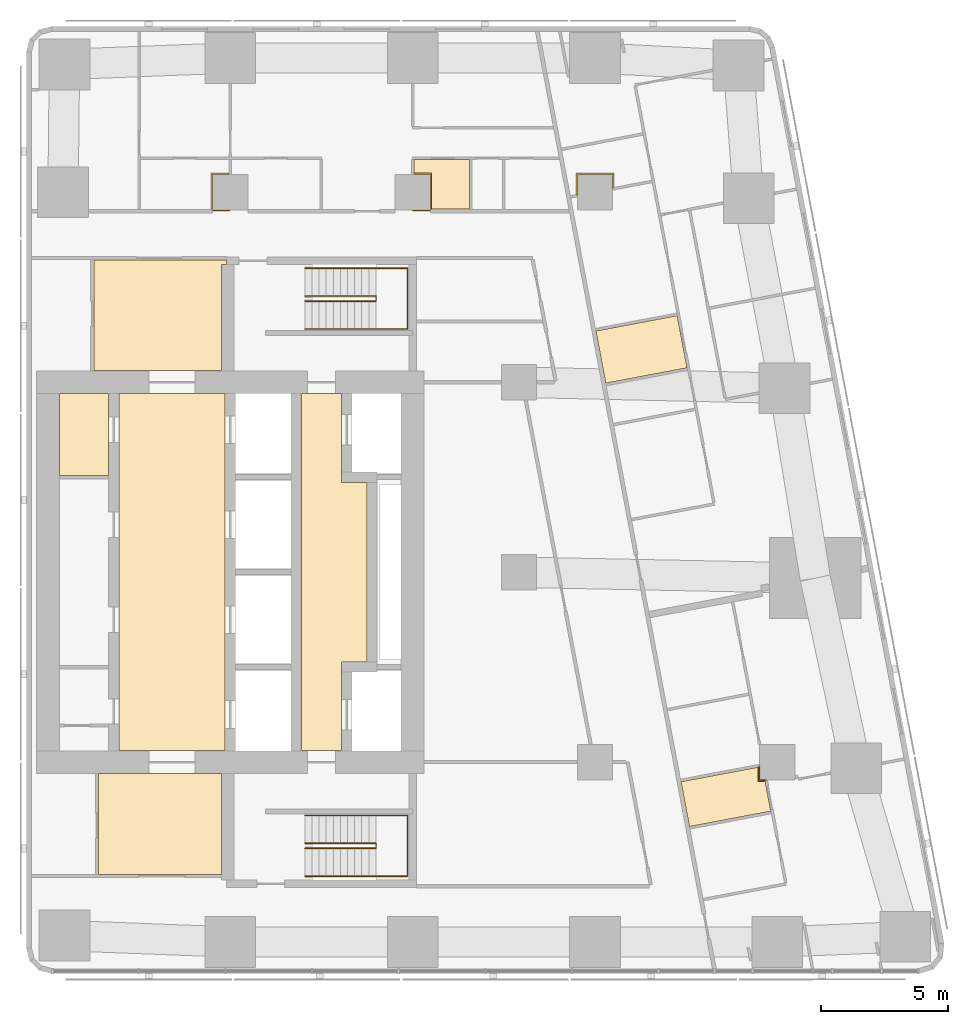
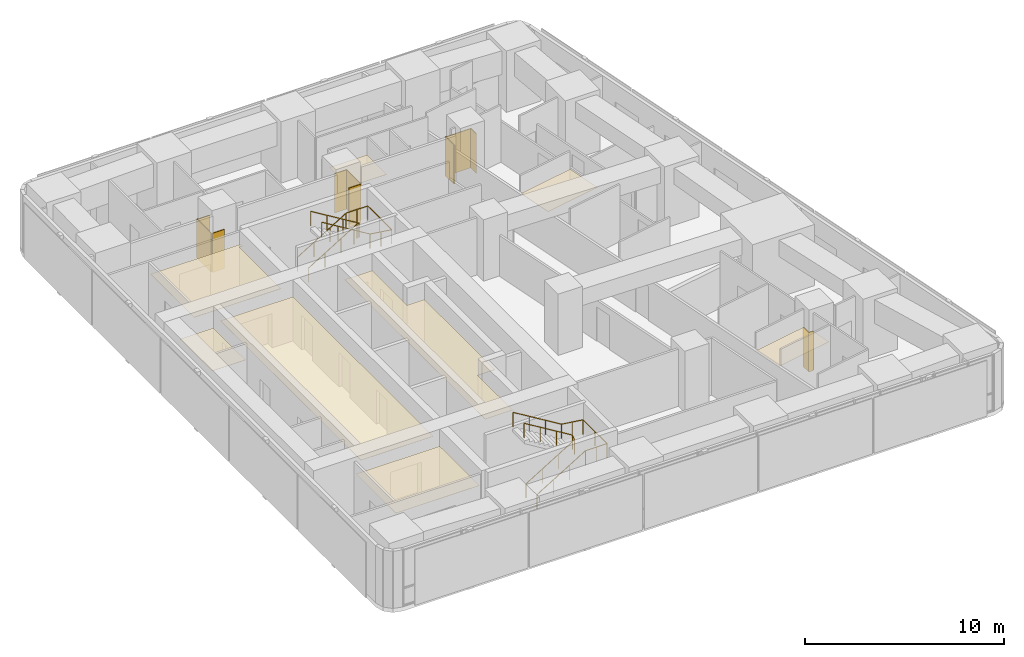
# One storey, part 10 of 10: 12 coverings, 4 railings.
"""IFC4 building model written with IfcOpenShell, lengths in metres."""

from ifc_helpers import new_model, si_unit, direction, frame, origin, origin_2d, place, context, subcontext, project, spatial, polyline, circle, outline, extrude, material, layer, layer_set, type_object, element, save


model = new_model("IFC4")

# Units and contexts
model_context = context("Model", 3, precision=1e-05, world=origin(), true_north=direction((0.0, 1.0)))
body_context = subcontext(model_context, "Body", "Model", "MODEL_VIEW")
ifc_project = project(units=[si_unit("LENGTHUNIT", "METRE"), si_unit("AREAUNIT", "SQUARE_METRE"), si_unit("VOLUMEUNIT", "CUBIC_METRE"), si_unit("PLANEANGLEUNIT", "RADIAN"), si_unit("MASSUNIT", "GRAM", prefix="KILO")], contexts=[model_context])

# Site, building, storey
site_placement = place(None, origin())
site = spatial("IfcSite", under=ifc_project, at=site_placement, CompositionType="ELEMENT")
building_placement = place(site_placement, origin())
building = spatial("IfcBuilding", under=site, at=building_placement, Name="Sheger Commons Tower", CompositionType="ELEMENT")
storey_placement = place(building_placement, frame((0.0, 0.0, 289.10009765625)))
storey = spatial("IfcBuildingStorey", under=building, at=storey_placement, Name="L74", CompositionType="ELEMENT", Elevation=289.10009765625)

# Railings
ifc_material_1 = material(Name="Steel handrail, black powder-coated", Category="steel")
railing_type = type_object("IfcRailingType", Name="HANDRAIL 900", PredefinedType="HANDRAIL", material=ifc_material_1)
railing_1_placement = place(storey_placement, frame((24.550048828125, 11.60009765625, 0.17041015625)))
element("IfcRailing", 1, at=railing_1_placement, inside=storey, type_object=railing_type, Name="Stair S1 handrail L74", PredefinedType="HANDRAIL", context=body_context, shape_type="SweptSolid", body=[
    extrude(circle(Radius=0.02392578125, at=origin_2d()), frame((0.0, 0.0, 0.8759765625), z_axis=(0.854169791009, 0.0, 0.51999420009), x_axis=(0.0, 1.0, 0.0)), (0.0, 0.0, 1.0), 3.278076171875),
    extrude(circle(Radius=0.02392578125, at=origin_2d()), frame((2.800048828125, 0.0, 2.58056640625), z_axis=(0.0, 0.761090297175, 0.648645943136), x_axis=(-1.0, 0.0, 0.0)), (0.0, 0.0, 1.0), 0.2626953125),
    extrude(circle(Radius=0.02392578125, at=origin_2d()), frame((2.800048828125, 0.199951171875, 2.7509765625), z_axis=(-0.854169791009, 0.0, 0.51999420009), x_axis=(0.0, -1.0, 0.0)), (0.0, 0.0, 1.0), 3.278076171875),
    extrude(circle(Radius=0.02099609375, at=origin_2d()), origin(), (0.0, 0.0, 1.0), 0.851806640625),
    extrude(circle(Radius=0.02099609375, at=origin_2d()), frame((0.933349609375, 0.0, 0.568115234375)), (0.0, 0.0, 1.0), 0.851806640625),
    extrude(circle(Radius=0.02099609375, at=origin_2d()), frame((1.86669921875, 0.0, 1.136474609375)), (0.0, 0.0, 1.0), 0.851806640625),
    extrude(circle(Radius=0.02099609375, at=origin_2d()), frame((2.800048828125, 0.0, 1.70458984375)), (0.0, 0.0, 1.0), 0.851806640625),
    extrude(circle(Radius=0.02099609375, at=origin_2d()), frame((2.800048828125, 0.199951171875, 1.875)), (0.0, 0.0, 1.0), 0.851806640625),
    extrude(circle(Radius=0.02099609375, at=origin_2d()), frame((1.86669921875, 0.199951171875, 2.443115234375)), (0.0, 0.0, 1.0), 0.851806640625),
    extrude(circle(Radius=0.02099609375, at=origin_2d()), frame((0.933349609375, 0.199951171875, 3.011474609375)), (0.0, 0.0, 1.0), 0.851806640625),
    extrude(circle(Radius=0.02099609375, at=origin_2d()), frame((0.0, 0.199951171875, 3.57958984375)), (0.0, 0.0, 1.0), 0.851806640625),
])
railing_2_placement = place(storey_placement, frame((24.550048828125, 10.5, 0.17041015625)))
element("IfcRailing", 2, at=railing_2_placement, inside=storey, type_object=railing_type, Name="Stair S1 handrail L74", PredefinedType="HANDRAIL", context=body_context, shape_type="SweptSolid", body=[
    extrude(circle(Radius=0.02392578125, at=origin_2d()), frame((0.0, 0.0, 0.8759765625), z_axis=(0.854169791009, 0.0, 0.51999420009), x_axis=(0.0, 1.0, 0.0)), (0.0, 0.0, 1.0), 3.278076171875),
    extrude(circle(Radius=0.02392578125, at=origin_2d()), frame((2.800048828125, 0.0, 2.58056640625), z_axis=(1.0, 0.0, 0.0), x_axis=(0.0, 1.0, 0.0)), (0.0, 0.0, 1.0), 1.25),
    extrude(circle(Radius=0.02392578125, at=origin_2d()), frame((4.050048828125, 0.0, 2.58056640625), z_axis=(0.0, 1.0, 0.0), x_axis=(-1.0, 0.0, 0.0)), (0.0, 0.0, 1.0), 2.39990234375),
    extrude(circle(Radius=0.02392578125, at=origin_2d()), frame((4.050048828125, 2.39990234375, 2.58056640625), z_axis=(-0.990834877927, 0.0, 0.135078661092), x_axis=(0.0, -1.0, 0.0)), (0.0, 0.0, 1.0), 1.261474609375),
    extrude(circle(Radius=0.02392578125, at=origin_2d()), frame((2.800048828125, 2.39990234375, 2.7509765625), z_axis=(-0.854169791009, 0.0, 0.51999420009), x_axis=(0.0, -1.0, 0.0)), (0.0, 0.0, 1.0), 3.278076171875),
    extrude(circle(Radius=0.02099609375, at=origin_2d()), origin(), (0.0, 0.0, 1.0), 0.851806640625),
    extrude(circle(Radius=0.02099609375, at=origin_2d()), frame((0.933349609375, 0.0, 0.568115234375)), (0.0, 0.0, 1.0), 0.851806640625),
    extrude(circle(Radius=0.02099609375, at=origin_2d()), frame((1.86669921875, 0.0, 1.136474609375)), (0.0, 0.0, 1.0), 0.851806640625),
    extrude(circle(Radius=0.02099609375, at=origin_2d()), frame((2.800048828125, 0.0, 1.70458984375)), (0.0, 0.0, 1.0), 0.851806640625),
    extrude(circle(Radius=0.02099609375, at=origin_2d()), frame((3.425048828125, 0.0, 1.70458984375)), (0.0, 0.0, 1.0), 0.851806640625),
    extrude(circle(Radius=0.02099609375, at=origin_2d()), frame((4.050048828125, 0.0, 1.70458984375)), (0.0, 0.0, 1.0), 0.851806640625),
    extrude(circle(Radius=0.02099609375, at=origin_2d()), frame((4.050048828125, 1.199951171875, 1.70458984375)), (0.0, 0.0, 1.0), 0.851806640625),
    extrude(circle(Radius=0.02099609375, at=origin_2d()), frame((4.050048828125, 2.39990234375, 1.70458984375)), (0.0, 0.0, 1.0), 0.851806640625),
    extrude(circle(Radius=0.02099609375, at=origin_2d()), frame((3.425048828125, 2.39990234375, 1.789794921875)), (0.0, 0.0, 1.0), 0.851806640625),
    extrude(circle(Radius=0.02099609375, at=origin_2d()), frame((2.800048828125, 2.39990234375, 1.875)), (0.0, 0.0, 1.0), 0.851806640625),
    extrude(circle(Radius=0.02099609375, at=origin_2d()), frame((1.86669921875, 2.39990234375, 2.443115234375)), (0.0, 0.0, 1.0), 0.851806640625),
    extrude(circle(Radius=0.02099609375, at=origin_2d()), frame((0.933349609375, 2.39990234375, 3.011474609375)), (0.0, 0.0, 1.0), 0.851806640625),
    extrude(circle(Radius=0.02099609375, at=origin_2d()), frame((0.0, 2.39990234375, 3.57958984375)), (0.0, 0.0, 1.0), 0.851806640625),
])
railing_3_placement = place(storey_placement, frame((24.550048828125, 33.39990234375, 0.17041015625)))
element("IfcRailing", 3, at=railing_3_placement, inside=storey, type_object=railing_type, Name="Stair S2 handrail L74", PredefinedType="HANDRAIL", context=body_context, shape_type="SweptSolid", body=[
    extrude(circle(Radius=0.02392578125, at=origin_2d()), frame((0.0, 0.0, 0.8759765625), z_axis=(0.854169791009, 0.0, 0.51999420009), x_axis=(0.0, 1.0, 0.0)), (0.0, 0.0, 1.0), 3.278076171875),
    extrude(circle(Radius=0.02392578125, at=origin_2d()), frame((2.800048828125, 0.0, 2.58056640625), z_axis=(0.0, -0.761090297175, 0.648645943136), x_axis=(1.0, 0.0, 0.0)), (0.0, 0.0, 1.0), 0.2626953125),
    extrude(circle(Radius=0.02392578125, at=origin_2d()), frame((2.800048828125, -0.199951171875, 2.7509765625), z_axis=(-0.854169791009, 0.0, 0.51999420009), x_axis=(0.0, -1.0, 0.0)), (0.0, 0.0, 1.0), 3.278076171875),
    extrude(circle(Radius=0.02099609375, at=origin_2d()), origin(), (0.0, 0.0, 1.0), 0.851806640625),
    extrude(circle(Radius=0.02099609375, at=origin_2d()), frame((0.933349609375, 0.0, 0.568115234375)), (0.0, 0.0, 1.0), 0.851806640625),
    extrude(circle(Radius=0.02099609375, at=origin_2d()), frame((1.86669921875, 0.0, 1.136474609375)), (0.0, 0.0, 1.0), 0.851806640625),
    extrude(circle(Radius=0.02099609375, at=origin_2d()), frame((2.800048828125, 0.0, 1.70458984375)), (0.0, 0.0, 1.0), 0.851806640625),
    extrude(circle(Radius=0.02099609375, at=origin_2d()), frame((2.800048828125, -0.199951171875, 1.875)), (0.0, 0.0, 1.0), 0.851806640625),
    extrude(circle(Radius=0.02099609375, at=origin_2d()), frame((1.86669921875, -0.199951171875, 2.443115234375)), (0.0, 0.0, 1.0), 0.851806640625),
    extrude(circle(Radius=0.02099609375, at=origin_2d()), frame((0.933349609375, -0.199951171875, 3.011474609375)), (0.0, 0.0, 1.0), 0.851806640625),
    extrude(circle(Radius=0.02099609375, at=origin_2d()), frame((0.0, -0.199951171875, 3.57958984375)), (0.0, 0.0, 1.0), 0.851806640625),
])
railing_4_placement = place(storey_placement, frame((24.550048828125, 34.5, 0.17041015625)))
element("IfcRailing", 4, at=railing_4_placement, inside=storey, type_object=railing_type, Name="Stair S2 handrail L74", PredefinedType="HANDRAIL", context=body_context, shape_type="SweptSolid", body=[
    extrude(circle(Radius=0.02392578125, at=origin_2d()), frame((0.0, 0.0, 0.8759765625), z_axis=(0.854169791009, 0.0, 0.51999420009), x_axis=(0.0, 1.0, 0.0)), (0.0, 0.0, 1.0), 3.278076171875),
    extrude(circle(Radius=0.02392578125, at=origin_2d()), frame((2.800048828125, 0.0, 2.58056640625), z_axis=(1.0, 0.0, 0.0), x_axis=(0.0, 1.0, 0.0)), (0.0, 0.0, 1.0), 1.25),
    extrude(circle(Radius=0.02392578125, at=origin_2d()), frame((4.050048828125, 0.0, 2.58056640625), z_axis=(0.0, -1.0, 0.0), x_axis=(1.0, 0.0, 0.0)), (0.0, 0.0, 1.0), 2.39990234375),
    extrude(circle(Radius=0.02392578125, at=origin_2d()), frame((4.050048828125, -2.39990234375, 2.58056640625), z_axis=(-0.990834877927, 0.0, 0.135078661092), x_axis=(0.0, -1.0, 0.0)), (0.0, 0.0, 1.0), 1.261474609375),
    extrude(circle(Radius=0.02392578125, at=origin_2d()), frame((2.800048828125, -2.39990234375, 2.7509765625), z_axis=(-0.854169791009, 0.0, 0.51999420009), x_axis=(0.0, -1.0, 0.0)), (0.0, 0.0, 1.0), 3.278076171875),
    extrude(circle(Radius=0.02099609375, at=origin_2d()), origin(), (0.0, 0.0, 1.0), 0.851806640625),
    extrude(circle(Radius=0.02099609375, at=origin_2d()), frame((0.933349609375, 0.0, 0.568115234375)), (0.0, 0.0, 1.0), 0.851806640625),
    extrude(circle(Radius=0.02099609375, at=origin_2d()), frame((1.86669921875, 0.0, 1.136474609375)), (0.0, 0.0, 1.0), 0.851806640625),
    extrude(circle(Radius=0.02099609375, at=origin_2d()), frame((2.800048828125, 0.0, 1.70458984375)), (0.0, 0.0, 1.0), 0.851806640625),
    extrude(circle(Radius=0.02099609375, at=origin_2d()), frame((3.425048828125, 0.0, 1.70458984375)), (0.0, 0.0, 1.0), 0.851806640625),
    extrude(circle(Radius=0.02099609375, at=origin_2d()), frame((4.050048828125, 0.0, 1.70458984375)), (0.0, 0.0, 1.0), 0.851806640625),
    extrude(circle(Radius=0.02099609375, at=origin_2d()), frame((4.050048828125, -1.199951171875, 1.70458984375)), (0.0, 0.0, 1.0), 0.851806640625),
    extrude(circle(Radius=0.02099609375, at=origin_2d()), frame((4.050048828125, -2.39990234375, 1.70458984375)), (0.0, 0.0, 1.0), 0.851806640625),
    extrude(circle(Radius=0.02099609375, at=origin_2d()), frame((3.425048828125, -2.39990234375, 1.789794921875)), (0.0, 0.0, 1.0), 0.851806640625),
    extrude(circle(Radius=0.02099609375, at=origin_2d()), frame((2.800048828125, -2.39990234375, 1.875)), (0.0, 0.0, 1.0), 0.851806640625),
    extrude(circle(Radius=0.02099609375, at=origin_2d()), frame((1.86669921875, -2.39990234375, 2.443115234375)), (0.0, 0.0, 1.0), 0.851806640625),
    extrude(circle(Radius=0.02099609375, at=origin_2d()), frame((0.933349609375, -2.39990234375, 3.011474609375)), (0.0, 0.0, 1.0), 0.851806640625),
    extrude(circle(Radius=0.02099609375, at=origin_2d()), frame((0.0, -2.39990234375, 3.57958984375)), (0.0, 0.0, 1.0), 0.851806640625),
])

# Coverings
ifc_material_2 = material(Name="Moisture-resistant gypsum plasterboard 15 mm on a suspended galvanised steel grid", Category="steel")
ifc_layer_1 = layer(ifc_material_2, 0.014892578125)
ifc_layer_set_1 = layer_set([ifc_layer_1], Name="MOISTURE-RESISTANT CEILING 15")
covering_type_1 = type_object("IfcCoveringType", Name="MOISTURE-RESISTANT CEILING 15", PredefinedType="CEILING", material=ifc_layer_set_1)
covering_1_placement = place(storey_placement, frame((0.0, 0.0, 2.39990234375)))
element("IfcCovering", 5, at=covering_1_placement, inside=storey, type_object=covering_type_1, Name="L74-01.B3 ceiling", PredefinedType="CEILING", context=body_context, shape_type="SweptSolid", body=[
    extrude(outline(polyline([(36.426025390625, 29.9619140625), (39.634033203125, 30.568115234375), (39.2451171875, 32.6279296875), (36.037109375, 32.02197265625), (36.426025390625, 29.9619140625)])), origin(), (0.0, 0.0, 1.0), 0.014892578125),
])
covering_2_placement = place(storey_placement, frame((0.0, 0.0, 2.39990234375)))
element("IfcCovering", 6, at=covering_2_placement, inside=storey, type_object=covering_type_1, Name="L74-02.B3 ceiling", PredefinedType="CEILING", context=body_context, shape_type="SweptSolid", body=[
    extrude(outline(polyline([(39.73193359375, 12.458984375), (42.93994140625, 13.06494140625), (42.7099609375, 14.284912109375), (42.7529296875, 14.29296875), (42.7529296875, 14.294921875), (42.4951171875, 14.294921875), (42.4951171875, 14.81103515625), (39.39794921875, 14.22607421875), (39.73193359375, 12.458984375)])), origin(), (0.0, 0.0, 1.0), 0.014892578125),
])
covering_3_placement = place(storey_placement, frame((0.0, 0.0, 2.39990234375)))
element("IfcCovering", 7, at=covering_3_placement, inside=storey, type_object=covering_type_1, Name="L74-03.B3 ceiling", PredefinedType="CEILING", context=body_context, shape_type="SweptSolid", body=[
    extrude(outline(polyline([(29.5048828125, 36.830078125), (31.044921875, 36.830078125), (31.044921875, 38.794921875), (28.85498046875, 38.794921875), (28.85498046875, 38.205078125), (29.5048828125, 38.205078125), (29.5048828125, 36.830078125)])), origin(), (0.0, 0.0, 1.0), 0.014892578125),
])
covering_4_placement = place(storey_placement, frame((0.0, 0.0, 2.39990234375)))
element("IfcCovering", 8, at=covering_4_placement, inside=storey, type_object=covering_type_1, Name="L74-CRB3 ceiling", PredefinedType="CEILING", context=body_context, shape_type="SweptSolid", body=[
    extrude(outline(polyline([(14.85498046875, 26.31689453125), (16.794921875, 26.31689453125), (16.794921875, 29.544921875), (14.85498046875, 29.544921875), (14.85498046875, 26.31689453125)])), origin(), (0.0, 0.0, 1.0), 0.014892578125),
])
ifc_material_3 = material(Name="Gypsum plasterboard 15 mm on a suspended steel grid", Category="steel")
ifc_layer_2 = layer(ifc_material_3, 0.014892578125)
ifc_layer_set_2 = layer_set([ifc_layer_2], Name="SUSPENDED CEILING 15")
covering_type_2 = type_object("IfcCoveringType", Name="SUSPENDED CEILING 15", PredefinedType="CEILING", material=ifc_layer_set_2)
covering_5_placement = place(storey_placement, frame((0.0, 0.0, 2.699951171875)))
element("IfcCovering", 9, at=covering_5_placement, inside=storey, type_object=covering_type_2, Name="L74-SVS1 ceiling", PredefinedType="CEILING", context=body_context, shape_type="SweptSolid", body=[
    extrude(outline(polyline([(16.406982421875, 10.568115234375), (21.2451171875, 10.568115234375), (21.2451171875, 14.544921875), (16.406982421875, 14.544921875), (16.406982421875, 10.568115234375)])), origin(), (0.0, 0.0, 1.0), 0.014892578125),
])
covering_6_placement = place(storey_placement, frame((0.0, 0.0, 2.699951171875)))
element("IfcCovering", 10, at=covering_6_placement, inside=storey, type_object=covering_type_2, Name="L74-SVN1 ceiling", PredefinedType="CEILING", context=body_context, shape_type="SweptSolid", body=[
    extrude(outline(polyline([(16.217041015625, 30.455078125), (21.2451171875, 30.455078125), (21.2451171875, 34.655029296875), (21.445068359375, 34.655029296875), (21.445068359375, 34.83203125), (16.217041015625, 34.83203125), (16.217041015625, 30.455078125)])), origin(), (0.0, 0.0, 1.0), 0.014892578125),
])
covering_7_placement = place(storey_placement, frame((0.0, 0.0, 2.699951171875)))
element("IfcCovering", 11, at=covering_7_placement, inside=storey, type_object=covering_type_2, Name="L74-LL ceiling", PredefinedType="CEILING", context=body_context, shape_type="SweptSolid", body=[
    extrude(outline(polyline([(17.205078125, 15.455078125), (21.39990234375, 15.455078125), (21.39990234375, 29.544921875), (17.205078125, 29.544921875), (17.205078125, 15.455078125)])), origin(), (0.0, 0.0, 1.0), 0.014892578125),
])
covering_8_placement = place(storey_placement, frame((0.0, 0.0, 2.699951171875)))
element("IfcCovering", 12, at=covering_8_placement, inside=storey, type_object=covering_type_2, Name="L74-FL ceiling", PredefinedType="CEILING", context=body_context, shape_type="SweptSolid", body=[
    extrude(outline(polyline([(24.405029296875, 15.455078125), (25.9951171875, 15.455078125), (25.9951171875, 18.955078125), (26.9951171875, 18.955078125), (26.9951171875, 26.044921875), (25.9951171875, 26.044921875), (25.9951171875, 29.544921875), (24.405029296875, 29.544921875), (24.405029296875, 15.455078125)])), origin(), (0.0, 0.0, 1.0), 0.014892578125),
])
ifc_material_4 = material(Name="Moisture-resistant gypsum board 12.5 mm on 25 mm treated timber battens, tanked and tiled", Category="wood")
ifc_layer_3 = layer(ifc_material_4, 0.050048828125)
ifc_layer_set_3 = layer_set([ifc_layer_3], Name="WET-ROOM COLUMN LINING")
covering_type_3 = type_object("IfcCoveringType", Name="WET-ROOM COLUMN LINING", PredefinedType="CLADDING", material=ifc_layer_set_3)
covering_9_placement = place(storey_placement, origin())
element("IfcCovering", 13, at=covering_9_placement, inside=storey, type_object=covering_type_3, Name="Bathroom column lining C11 L74", PredefinedType="CLADDING", context=body_context, shape_type="SweptSolid", body=[
    extrude(outline(polyline([(42.5, 14.866943359375), (42.5, 14.300048828125), (42.763916015625, 14.300048828125), (42.76611328125, 14.2900390625), (42.716064453125, 14.281005859375), (42.721923828125, 14.25), (42.449951171875, 14.25), (42.449951171875, 14.80810546875), (42.4990234375, 14.81689453125), (42.489990234375, 14.864990234375), (42.5, 14.866943359375)])), origin(), (0.0, 0.0, 1.0), 2.39990234375),
])
covering_10_placement = place(storey_placement, origin())
element("IfcCovering", 14, at=covering_10_placement, inside=storey, type_object=covering_type_3, Name="En-suite column lining C11 L74", PredefinedType="CLADDING", context=body_context, shape_type="SweptSolid", body=[
    extrude(outline(polyline([(21.550048828125, 38.25), (21.550048828125, 38.200927734375), (21.60009765625, 38.200927734375), (21.60009765625, 38.199951171875), (20.89990234375, 38.199951171875), (20.89990234375, 36.800048828125), (21.60009765625, 36.800048828125), (21.60009765625, 36.75), (20.89892578125, 36.75), (20.89892578125, 36.824951171875), (20.85009765625, 36.824951171875), (20.85009765625, 38.25), (21.550048828125, 38.25)])), origin(), (0.0, 0.0, 1.0), 2.39990234375),
])
covering_11_placement = place(storey_placement, origin())
element("IfcCovering", 15, at=covering_11_placement, inside=storey, type_object=covering_type_3, Name="Bathroom column lining C11 L74", PredefinedType="CLADDING", context=body_context, shape_type="SweptSolid", body=[
    extrude(outline(polyline([(29.550048828125, 36.824951171875), (29.5009765625, 36.824951171875), (29.5009765625, 36.75), (28.800048828125, 36.75), (28.800048828125, 36.800048828125), (29.5, 36.800048828125), (29.5, 38.199951171875), (28.800048828125, 38.199951171875), (28.800048828125, 38.200927734375), (28.85009765625, 38.200927734375), (28.85009765625, 38.25), (29.550048828125, 38.25), (29.550048828125, 36.824951171875)])), origin(), (0.0, 0.0, 1.0), 2.39990234375),
])
covering_12_placement = place(storey_placement, origin())
element("IfcCovering", 16, at=covering_12_placement, inside=storey, type_object=covering_type_3, Name="En-suite column lining C11 L74", PredefinedType="CLADDING", context=body_context, shape_type="SweptSolid", body=[
    extrude(outline(polyline([(36.75, 38.25), (36.75, 37.69189453125), (36.700927734375, 37.68310546875), (36.7099609375, 37.635009765625), (36.699951171875, 37.633056640625), (36.699951171875, 38.199951171875), (35.300048828125, 38.199951171875), (35.300048828125, 37.367919921875), (35.2900390625, 37.365966796875), (35.281005859375, 37.4150390625), (35.25, 37.408935546875), (35.25, 38.25), (36.75, 38.25)])), origin(), (0.0, 0.0, 1.0), 2.39990234375),
])

save(model, "model.ifc")
